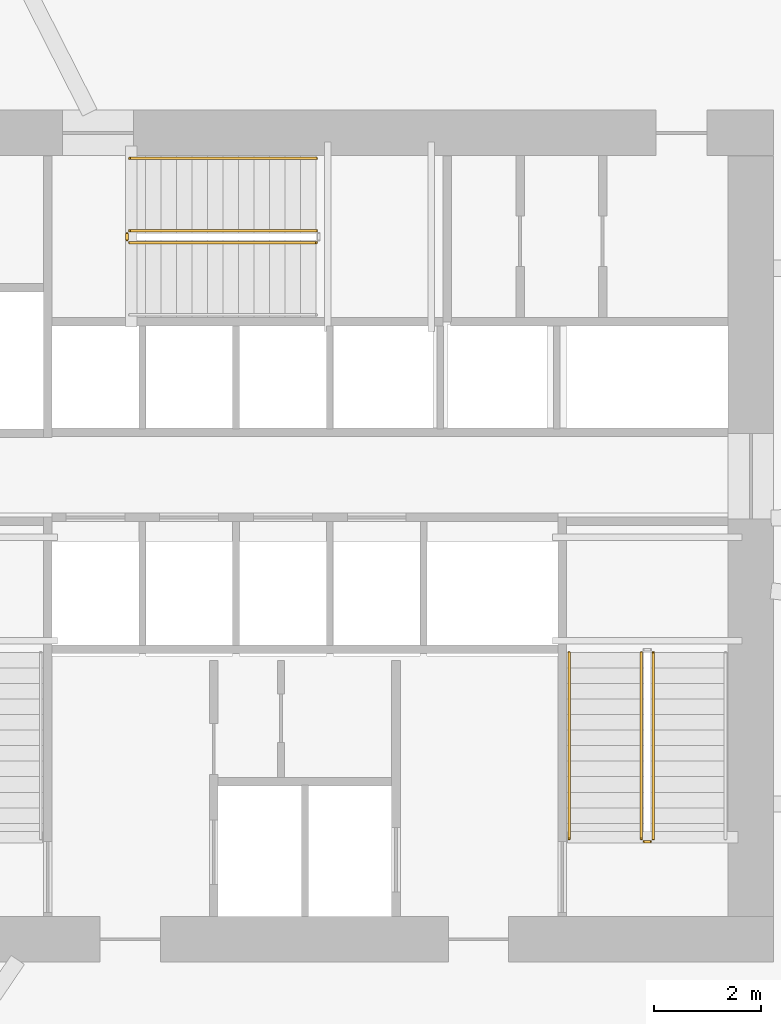
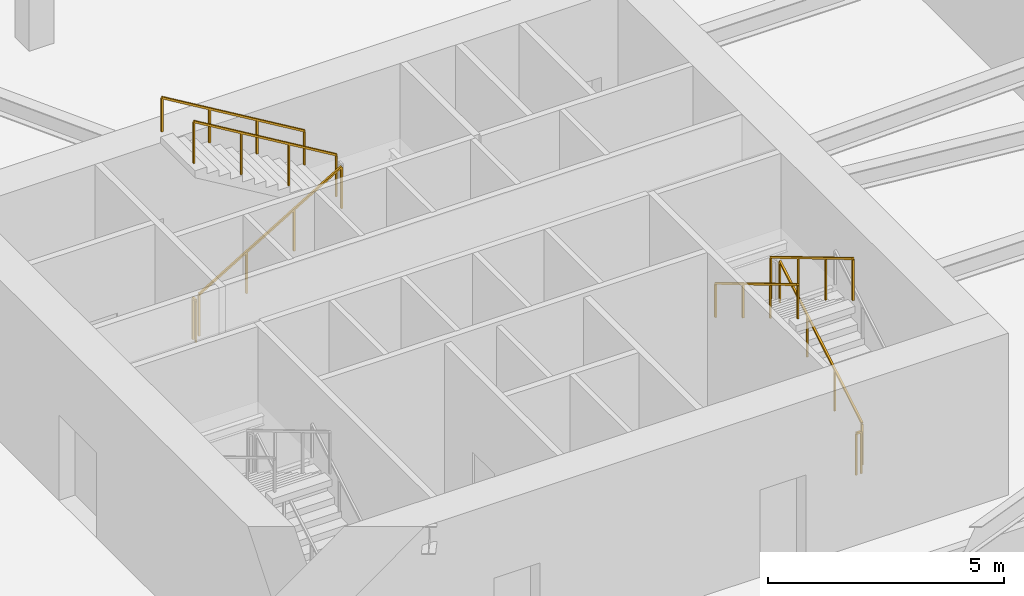
# One storey, part 13 of 16: 8 railings.
"""IFC4 building model written with IfcOpenShell, lengths in metres."""

import ifcopenshell
import ifcopenshell.guid

model = None  # the IFC model being written
_history = None  # IfcOwnerHistory: only IFC2X3 demands one
_inside = {}  # id of a spatial element -> (the spatial element, [elements in it])
_under = {}  # id of a project, library or spatial element -> (it, [spatial elements below it])
_declared = {}  # id of a project -> (the project, [libraries it declares])
_typed = {}  # id of a type object -> (the type object, [elements of that type])
_made_of = {}  # id of a material, layer set ... -> (it, [elements and type objects made of it])


def new_model(schema):
    """Start an empty IFC model of exactly this schema.

    Asked for "IFC4X3", IfcOpenShell would pick the latest addendum, in which some entities
    have other attributes; the version numbers below select the first issue.
    IFC2X3 requires an IfcOwnerHistory on every rooted entity: one is made here for all.
    """
    global model, _history
    if schema == "IFC4X3":
        model = ifcopenshell.file(schema_version=(4, 3, 0, 0))
    else:
        model = ifcopenshell.file(schema=schema)
    _inside.clear()
    _under.clear()
    _declared.clear()
    _typed.clear()
    _made_of.clear()
    _history = None
    if model.schema == "IFC2X3":
        org = make("IfcOrganization", Name="unknown")
        user = make(
            "IfcPersonAndOrganization",
            ThePerson=make("IfcPerson", FamilyName="unknown"),
            TheOrganization=org,
        )
        app = make(
            "IfcApplication",
            ApplicationDeveloper=org,
            Version="unknown",
            ApplicationFullName="unknown",
            ApplicationIdentifier="unknown",
        )
        _history = make(
            "IfcOwnerHistory",
            OwningUser=user,
            OwningApplication=app,
            ChangeAction="ADDED",
            CreationDate=0,
        )
    return model


def make(cls, **values):
    """One entity of the class cls with the attributes given. An attribute that is None is left unset."""
    return model.create_entity(
        cls, **{name: value for name, value in values.items() if value is not None}
    )


def rooted(cls, **values):
    """An entity with a GlobalId (a new one), such as an element, a storey or a relation."""
    return make(cls, GlobalId=ifcopenshell.guid.new(), OwnerHistory=_history, **values)


def si_unit(unit_type, name, prefix=None):
    """IfcSIUnit, for example si_unit("LENGTHUNIT", "METRE", prefix="MILLI")."""
    return make("IfcSIUnit", UnitType=unit_type, Prefix=prefix, Name=name)


def assignment(units):
    """IfcUnitAssignment: the units of a project."""
    return None if units is None else make("IfcUnitAssignment", Units=units)


def point(xyz):
    """IfcCartesianPoint."""
    return None if xyz is None else make("IfcCartesianPoint", Coordinates=xyz)


def direction(xyz):
    """IfcDirection."""
    return None if xyz is None else make("IfcDirection", DirectionRatios=xyz)


def frame(location, z_axis=None, x_axis=None):
    """IfcAxis2Placement3D, a coordinate frame: its origin and axes. An axis left out is left unset."""
    return make(
        "IfcAxis2Placement3D",
        Location=point(location),
        Axis=direction(z_axis),
        RefDirection=direction(x_axis),
    )


def frame_2d(location, x_axis=None):
    """IfcAxis2Placement2D, a coordinate frame in the plane: its origin and x axis."""
    return make(
        "IfcAxis2Placement2D", Location=point(location), RefDirection=direction(x_axis)
    )


def origin():
    """The frame at (0, 0, 0) with its axes left unset."""
    return frame((0.0, 0.0, 0.0))


def origin_2d():
    """The frame at (0, 0) in the plane with its x axis left unset."""
    return frame_2d((0.0, 0.0))


def place(relative_to, where):
    """IfcLocalPlacement: puts the frame where relative to a parent placement (None: the world)."""
    return make(
        "IfcLocalPlacement", PlacementRelTo=relative_to, RelativePlacement=where
    )


def context(
    kind, dimensions, precision=None, world=None, true_north=None, identifier=None
):
    """IfcGeometricRepresentationContext, for example the 3D "Model" context."""
    return make(
        "IfcGeometricRepresentationContext",
        ContextIdentifier=identifier,
        ContextType=kind,
        CoordinateSpaceDimension=dimensions,
        Precision=precision,
        WorldCoordinateSystem=world,
        TrueNorth=true_north,
    )


def subcontext(parent, identifier, kind, view, scale=None):
    """IfcGeometricRepresentationSubContext, for example "Body" below "Model"."""
    return make(
        "IfcGeometricRepresentationSubContext",
        ContextIdentifier=identifier,
        ContextType=kind,
        ParentContext=parent,
        TargetScale=scale,
        TargetView=view,
    )


def project(units=None, contexts=None):
    """IfcProject with its units and contexts."""
    return rooted(
        "IfcProject",
        Name="project",
        RepresentationContexts=contexts,
        UnitsInContext=assignment(units),
    )


def spatial(cls, under=None, at=None, **own):
    """A site, building, storey or space (cls), placed at a placement, below another one or the project."""
    s = rooted(cls, ObjectPlacement=at, **own)
    if under is not None:
        _under.setdefault(under.id(), (under, []))[1].append(s)
    return s


def profile(cls, at=None, kind="AREA", **sizes):
    """A parametric profile (cls). Its sizes go by their IFC names, for example OverallWidth=200.0."""
    return make(cls, ProfileType=kind, Position=at, **sizes)


def rectangle(**sizes):
    """IfcRectangleProfileDef."""
    return profile("IfcRectangleProfileDef", **sizes)


def extrude(swept, where, along, depth):
    """IfcExtrudedAreaSolid: the profile swept, set in the frame where, extruded along a direction by depth."""
    return make(
        "IfcExtrudedAreaSolid",
        SweptArea=swept,
        Position=where,
        ExtrudedDirection=direction(along),
        Depth=depth,
    )


def shape(context_of_items, identifier, shape_type, items):
    """IfcShapeRepresentation: the items that make up one representation, for example the "Body"."""
    return make(
        "IfcShapeRepresentation",
        ContextOfItems=context_of_items,
        RepresentationIdentifier=identifier,
        RepresentationType=shape_type,
        Items=items,
    )


def material(Name=None, Category=None):
    """IfcMaterial."""
    return make("IfcMaterial", Name=Name, Category=Category)


def made_of(thing, what):
    """Note that an element or type object is made of a material, layer set ...; save() writes the relation."""
    if what is not None:
        _made_of.setdefault(what.id(), (what, []))[1].append(thing)
    return thing


def type_object(cls, material=None, **own):
    """A type object (cls), such as IfcWallType, which elements share."""
    return made_of(rooted(cls, **own), material)


def element(
    cls,
    number,
    at=None,
    inside=None,
    cuts=None,
    type_object=None,
    material=None,
    context=None,
    identifier="Body",
    shape_type=None,
    held_by="IfcProductDefinitionShape",
    body=None,
    shapes=None,
    **own,
):
    """One element of the class cls, such as IfcWall. Its Tag is "e" and its number.

    at: its placement. inside: the storey or other place that contains it. cuts: it is an
    opening in that element (IfcRelVoidsElement). A single representation is given by context,
    identifier, shape_type and body (its items); several are given by shapes. held_by: the class
    of the entity that holds the representations. save() writes the other relations.
    """
    e = rooted(cls, Tag="e%d" % number, ObjectPlacement=at, **own)
    if body is not None:
        shapes = [shape(context, identifier, shape_type, body)]
    if shapes is not None:
        e.Representation = make(held_by, Representations=shapes)
    if inside is not None:
        _inside.setdefault(inside.id(), (inside, []))[1].append(e)
    if cuts is not None:
        rooted(
            "IfcRelVoidsElement", RelatingBuildingElement=cuts, RelatedOpeningElement=e
        )
    if type_object is not None:
        _typed.setdefault(type_object.id(), (type_object, []))[1].append(e)
    return made_of(e, material)


def aggregate(whole, parts):
    """IfcRelAggregates: a whole, such as a stair, and the parts it consists of."""
    return rooted("IfcRelAggregates", RelatingObject=whole, RelatedObjects=parts)


def save(model, path):
    """Write the relations noted so far, then the file.

    IfcRelAggregates (storeys below a building ...), IfcRelContainedInSpatialStructure (elements
    in a storey), IfcRelDefinesByType, IfcRelAssociatesMaterial and IfcRelDeclares: one each for
    every whole, place, type object, material and project.
    """
    for whole, parts in _under.values():
        aggregate(whole, parts)
    for where, things in _inside.values():
        rooted(
            "IfcRelContainedInSpatialStructure",
            RelatedElements=things,
            RelatingStructure=where,
        )
    for kind, things in _typed.values():
        rooted("IfcRelDefinesByType", RelatedObjects=things, RelatingType=kind)
    for what, things in _made_of.values():
        rooted("IfcRelAssociatesMaterial", RelatedObjects=things, RelatingMaterial=what)
    for by, libraries in _declared.values():
        rooted("IfcRelDeclares", RelatingContext=by, RelatedDefinitions=libraries)
    model.write(path)


model = new_model("IFC4")

# Units and contexts
model_context = context("Model", 3, precision=1e-05, world=origin(), true_north=direction((0.0, 1.0)))
body_context = subcontext(model_context, "Body", "Model", "MODEL_VIEW")
ifc_project = project(units=[si_unit("LENGTHUNIT", "METRE"), si_unit("AREAUNIT", "SQUARE_METRE"), si_unit("VOLUMEUNIT", "CUBIC_METRE"), si_unit("PLANEANGLEUNIT", "RADIAN"), si_unit("MASSUNIT", "GRAM", prefix="KILO")], contexts=[model_context])

# Site, building, storey
site_placement = place(None, origin())
site = spatial("IfcSite", under=ifc_project, at=site_placement, CompositionType="ELEMENT")
building_placement = place(site_placement, origin())
building = spatial("IfcBuilding", under=site, at=building_placement, Name="Olszyna Solenne Hotel", CompositionType="ELEMENT")
storey_placement = place(building_placement, frame((0.0, 0.0, 15.60009765625)))
storey = spatial("IfcBuildingStorey", under=building, at=storey_placement, Name="L03", CompositionType="ELEMENT", Elevation=15.60009765625)

# Railings
ifc_material_1 = material(Name="Anodised bronze aluminium", Category="aluminium")
railing_type_1 = type_object("IfcRailingType", Name="GR-110", PredefinedType="BALUSTRADE", material=ifc_material_1)
railing_1_placement = place(storey_placement, frame((44.5, 20.949951171875, 0.173095703125)))
element("IfcRailing", 1, at=railing_1_placement, inside=storey, type_object=railing_type_1, Name="L03 ST2 stair guard 1", PredefinedType="BALUSTRADE", context=body_context, shape_type="SweptSolid", body=[
    extrude(rectangle(XDim=0.048095703125, YDim=0.048095703125, at=origin_2d()), frame((0.0, 0.0, 1.076171875), z_axis=(0.0, 0.858697190188, 0.512483302717), x_axis=(-1.0, 0.0, 0.0)), (0.0, 0.0, 1.0), 4.052734375),
    extrude(rectangle(XDim=0.0419921875, YDim=0.0419921875, at=origin_2d()), origin(), (0.0, 0.0, 1.0), 1.052001953125),
    extrude(rectangle(XDim=0.0419921875, YDim=0.0419921875, at=origin_2d()), frame((0.0, 1.159912109375, 0.6923828125)), (0.0, 0.0, 1.0), 1.052001953125),
    extrude(rectangle(XDim=0.0419921875, YDim=0.0419921875, at=origin_2d()), frame((0.0, 2.320068359375, 1.384521484375)), (0.0, 0.0, 1.0), 1.052001953125),
    extrude(rectangle(XDim=0.0419921875, YDim=0.0419921875, at=origin_2d()), frame((0.0, 3.47998046875, 2.076904296875)), (0.0, 0.0, 1.0), 1.052001953125),
])
railing_2_placement = place(storey_placement, frame((44.280029296875, 24.429931640625, 2.423095703125)))
element("IfcRailing", 2, at=railing_2_placement, inside=storey, type_object=railing_type_1, Name="L03 ST2 stair guard 3", PredefinedType="BALUSTRADE", context=body_context, shape_type="SweptSolid", body=[
    extrude(rectangle(XDim=0.048095703125, YDim=0.048095703125, at=origin_2d()), frame((0.0, 0.0, 1.076171875), z_axis=(0.0, -0.858697190188, 0.512483302717), x_axis=(1.0, 0.0, 0.0)), (0.0, 0.0, 1.0), 4.052734375),
    extrude(rectangle(XDim=0.0419921875, YDim=0.0419921875, at=origin_2d()), origin(), (0.0, 0.0, 1.0), 1.052001953125),
    extrude(rectangle(XDim=0.0419921875, YDim=0.0419921875, at=origin_2d()), frame((0.0, -1.159912109375, 0.6923828125)), (0.0, 0.0, 1.0), 1.052001953125),
    extrude(rectangle(XDim=0.0419921875, YDim=0.0419921875, at=origin_2d()), frame((0.0, -2.320068359375, 1.384521484375)), (0.0, 0.0, 1.0), 1.052001953125),
    extrude(rectangle(XDim=0.0419921875, YDim=0.0419921875, at=origin_2d()), frame((0.0, -3.47998046875, 2.076904296875)), (0.0, 0.0, 1.0), 1.052001953125),
])
railing_3_placement = place(storey_placement, frame((44.449951171875, 20.89990234375, 0.0)))
element("IfcRailing", 3, at=railing_3_placement, inside=storey, type_object=railing_type_1, Name="L03 ST2 stair guard 4", PredefinedType="BALUSTRADE", context=body_context, shape_type="SweptSolid", body=[
    extrude(rectangle(XDim=0.048095703125, YDim=0.048095703125, at=origin_2d()), frame((0.0, 0.0, 1.076171875), z_axis=(-1.0, 0.0, 0.0), x_axis=(0.0, -1.0, 0.0)), (0.0, 0.0, 1.0), 0.119873046875),
    extrude(rectangle(XDim=0.0419921875, YDim=0.0419921875, at=origin_2d()), origin(), (0.0, 0.0, 1.0), 1.052001953125),
    extrude(rectangle(XDim=0.0419921875, YDim=0.0419921875, at=origin_2d()), frame((-0.119873046875, 0.0, 0.0)), (0.0, 0.0, 1.0), 1.052001953125),
])
railing_4_placement = place(storey_placement, frame((34.72998046875, 32.080078125, 0.173095703125)))
element("IfcRailing", 4, at=railing_4_placement, inside=storey, type_object=railing_type_1, Name="L03 ST3 stair guard 1", PredefinedType="BALUSTRADE", context=body_context, shape_type="SweptSolid", body=[
    extrude(rectangle(XDim=0.048095703125, YDim=0.048095703125, at=origin_2d()), frame((0.0, 0.0, 1.076171875), z_axis=(0.858697190188, 0.0, 0.512483302717), x_axis=(0.0, 1.0, 0.0)), (0.0, 0.0, 1.0), 4.052734375),
    extrude(rectangle(XDim=0.0419921875, YDim=0.0419921875, at=origin_2d()), origin(), (0.0, 0.0, 1.0), 1.052001953125),
    extrude(rectangle(XDim=0.0419921875, YDim=0.0419921875, at=origin_2d()), frame((1.159912109375, 0.0, 0.6923828125)), (0.0, 0.0, 1.0), 1.052001953125),
    extrude(rectangle(XDim=0.0419921875, YDim=0.0419921875, at=origin_2d()), frame((2.320068359375, 0.0, 1.384521484375)), (0.0, 0.0, 1.0), 1.052001953125),
    extrude(rectangle(XDim=0.0419921875, YDim=0.0419921875, at=origin_2d()), frame((3.47998046875, 0.0, 2.076904296875)), (0.0, 0.0, 1.0), 1.052001953125),
])
railing_5_placement = place(storey_placement, frame((38.2099609375, 32.300048828125, 2.423095703125)))
element("IfcRailing", 5, at=railing_5_placement, inside=storey, type_object=railing_type_1, Name="L03 ST3 stair guard 3", PredefinedType="BALUSTRADE", context=body_context, shape_type="SweptSolid", body=[
    extrude(rectangle(XDim=0.048095703125, YDim=0.048095703125, at=origin_2d()), frame((0.0, 0.0, 1.076171875), z_axis=(-0.858697190188, 0.0, 0.512483302717), x_axis=(0.0, -1.0, 0.0)), (0.0, 0.0, 1.0), 4.052734375),
    extrude(rectangle(XDim=0.0419921875, YDim=0.0419921875, at=origin_2d()), origin(), (0.0, 0.0, 1.0), 1.052001953125),
    extrude(rectangle(XDim=0.0419921875, YDim=0.0419921875, at=origin_2d()), frame((-1.159912109375, 0.0, 0.6923828125)), (0.0, 0.0, 1.0), 1.052001953125),
    extrude(rectangle(XDim=0.0419921875, YDim=0.0419921875, at=origin_2d()), frame((-2.320068359375, 0.0, 1.384521484375)), (0.0, 0.0, 1.0), 1.052001953125),
    extrude(rectangle(XDim=0.0419921875, YDim=0.0419921875, at=origin_2d()), frame((-3.47998046875, 0.0, 2.076904296875)), (0.0, 0.0, 1.0), 1.052001953125),
])
railing_6_placement = place(storey_placement, frame((34.679931640625, 32.1298828125, 0.0)))
element("IfcRailing", 6, at=railing_6_placement, inside=storey, type_object=railing_type_1, Name="L03 ST3 stair guard 4", PredefinedType="BALUSTRADE", context=body_context, shape_type="SweptSolid", body=[
    extrude(rectangle(XDim=0.048095703125, YDim=0.048095703125, at=origin_2d()), frame((0.0, 0.0, 1.076171875), z_axis=(0.0, 1.0, 0.0), x_axis=(-1.0, 0.0, 0.0)), (0.0, 0.0, 1.0), 0.1201171875),
    extrude(rectangle(XDim=0.0419921875, YDim=0.0419921875, at=origin_2d()), origin(), (0.0, 0.0, 1.0), 1.052001953125),
    extrude(rectangle(XDim=0.0419921875, YDim=0.0419921875, at=origin_2d()), frame((0.0, 0.1201171875, 0.0)), (0.0, 0.0, 1.0), 1.052001953125),
])
ifc_material_2 = material(Name="Steel S355J2", Category="steel")
railing_type_2 = type_object("IfcRailingType", Name="HR-090", PredefinedType="HANDRAIL", material=ifc_material_2)
railing_7_placement = place(storey_placement, frame((42.929931640625, 24.429931640625, 2.423095703125)))
element("IfcRailing", 7, at=railing_7_placement, inside=storey, type_object=railing_type_2, Name="L03 ST2 stair handrail 2", PredefinedType="HANDRAIL", context=body_context, shape_type="SweptSolid", body=[
    extrude(rectangle(XDim=0.048095703125, YDim=0.048095703125, at=origin_2d()), frame((0.0, 0.0, 0.8759765625), z_axis=(0.0, -0.858697190188, 0.512483302717), x_axis=(1.0, 0.0, 0.0)), (0.0, 0.0, 1.0), 4.052734375),
    extrude(rectangle(XDim=0.0419921875, YDim=0.0419921875, at=origin_2d()), origin(), (0.0, 0.0, 1.0), 0.851806640625),
    extrude(rectangle(XDim=0.0419921875, YDim=0.0419921875, at=origin_2d()), frame((0.0, -1.159912109375, 0.6923828125)), (0.0, 0.0, 1.0), 0.851806640625),
    extrude(rectangle(XDim=0.0419921875, YDim=0.0419921875, at=origin_2d()), frame((0.0, -2.320068359375, 1.384521484375)), (0.0, 0.0, 1.0), 0.851806640625),
    extrude(rectangle(XDim=0.0419921875, YDim=0.0419921875, at=origin_2d()), frame((0.0, -3.47998046875, 2.076904296875)), (0.0, 0.0, 1.0), 0.851806640625),
])
railing_8_placement = place(storey_placement, frame((38.2099609375, 33.64990234375, 2.423095703125)))
element("IfcRailing", 8, at=railing_8_placement, inside=storey, type_object=railing_type_2, Name="L03 ST3 stair handrail 2", PredefinedType="HANDRAIL", context=body_context, shape_type="SweptSolid", body=[
    extrude(rectangle(XDim=0.048095703125, YDim=0.048095703125, at=origin_2d()), frame((0.0, 0.0, 0.8759765625), z_axis=(-0.858697190188, 0.0, 0.512483302717), x_axis=(0.0, -1.0, 0.0)), (0.0, 0.0, 1.0), 4.052734375),
    extrude(rectangle(XDim=0.0419921875, YDim=0.0419921875, at=origin_2d()), origin(), (0.0, 0.0, 1.0), 0.851806640625),
    extrude(rectangle(XDim=0.0419921875, YDim=0.0419921875, at=origin_2d()), frame((-1.159912109375, 0.0, 0.6923828125)), (0.0, 0.0, 1.0), 0.851806640625),
    extrude(rectangle(XDim=0.0419921875, YDim=0.0419921875, at=origin_2d()), frame((-2.320068359375, 0.0, 1.384521484375)), (0.0, 0.0, 1.0), 0.851806640625),
    extrude(rectangle(XDim=0.0419921875, YDim=0.0419921875, at=origin_2d()), frame((-3.47998046875, 0.0, 2.076904296875)), (0.0, 0.0, 1.0), 0.851806640625),
])

save(model, "model.ifc")
